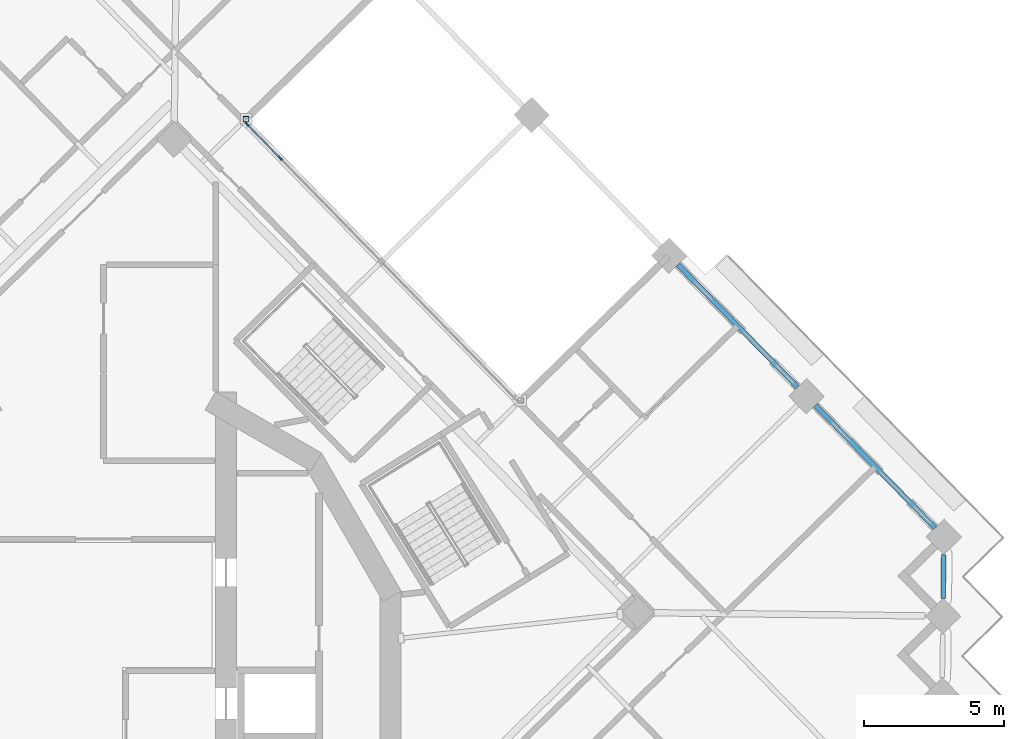
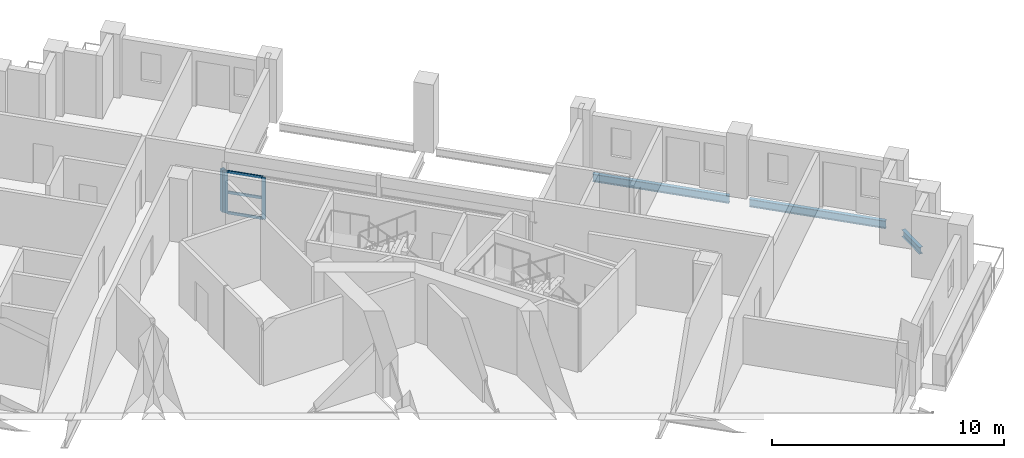
# One storey, part 4 of 20: 6 members, 3 beams, 1 element without a shape of its own.
"""IFC4 building model written with IfcOpenShell, lengths in metres."""

from ifc_helpers import new_model, si_unit, direction, frame, origin, origin_2d, place, context, subcontext, project, spatial, rectangle, hollow_rectangle, i_section, extrude, material, material_profile, profile_set, type_object, element, aggregate, save


model = new_model("IFC4")

# Units and contexts
model_context = context("Model", 3, precision=1e-05, world=origin(), true_north=direction((0.0, 1.0)))
body_context = subcontext(model_context, "Body", "Model", "MODEL_VIEW")
ifc_project = project(units=[si_unit("LENGTHUNIT", "METRE"), si_unit("AREAUNIT", "SQUARE_METRE"), si_unit("VOLUMEUNIT", "CUBIC_METRE"), si_unit("PLANEANGLEUNIT", "RADIAN"), si_unit("MASSUNIT", "GRAM", prefix="KILO")], contexts=[model_context])

# Site, building, storey
site_placement = place(None, origin())
site = spatial("IfcSite", under=ifc_project, at=site_placement, CompositionType="ELEMENT")
building_placement = place(site_placement, origin())
building = spatial("IfcBuilding", under=site, at=building_placement, Name="Cantera Rosa Tower", CompositionType="ELEMENT")
storey_placement = place(building_placement, frame((0.0, 0.0, 209.0)))
storey = spatial("IfcBuildingStorey", under=building, at=storey_placement, Name="L44", CompositionType="ELEMENT", Elevation=209.0)

# Curtain wall, members
ifc_material_1 = material(Name="Aluminium frame with clear glass", Category="aluminium")
curtain_wall_type = type_object("IfcCurtainWallType", Name="CW1 TERRACE POCKET GLAZING", PredefinedType="NOTDEFINED", material=ifc_material_1)
curtain_wall_placement = place(storey_placement, origin())
curtain_wall = element("IfcCurtainWall", 1, at=curtain_wall_placement, inside=storey, type_object=curtain_wall_type, Name="CW1 CW1", PredefinedType="NOTDEFINED")
ifc_material_2 = material(Name="Anodised bronze aluminium", Category="aluminium")
ifc_material_profile_1 = material_profile(ifc_material_2, rectangle(XDim=0.06005859375, YDim=0.179931640625, at=origin_2d()), Name="CW-MULLION 60x180 POCKET")
ifc_profile_set_1 = profile_set([ifc_material_profile_1], Name="Anodised bronze aluminium")
member_type_1 = type_object("IfcMemberType", Name="CW-MULLION 60x180 POCKET", PredefinedType="MULLION", material=ifc_profile_set_1)
member_1_placement = place(storey_placement, frame((6.3076171875, 18.29931640625, 0.0), z_axis=(0.0, 0.0, 1.0), x_axis=(-0.715286291058, -0.698831540376, 0.0)))
member_1 = element("IfcMember", 2, at=member_1_placement, type_object=member_type_1, Name="CW1 mullion 8", PredefinedType="MULLION", context=body_context, shape_type="SweptSolid", body=[
    extrude(rectangle(XDim=0.06005859375, YDim=0.179931640625, at=origin_2d()), origin(), (0.0, 0.0, 1.0), 2.2119140625),
])
member_2_placement = place(storey_placement, frame((5.1240234375, 19.510986328125, 0.0), z_axis=(0.0, 0.0, 1.0), x_axis=(-0.715286291058, -0.698831540376, 0.0)))
member_2 = element("IfcMember", 3, at=member_2_placement, type_object=member_type_1, Name="CW1 mullion 9", PredefinedType="MULLION", context=body_context, shape_type="SweptSolid", body=[
    extrude(rectangle(XDim=0.06005859375, YDim=0.179931640625, at=origin_2d()), origin(), (0.0, 0.0, 1.0), 2.2119140625),
])
ifc_material_3 = material(Name="Anodised bronze aluminium", Category="aluminium")
ifc_material_profile_2 = material_profile(ifc_material_3, rectangle(XDim=0.06005859375, YDim=0.139892578125, at=origin_2d()), Name="CW-TRANSOM 60x140 POCKET")
ifc_profile_set_2 = profile_set([ifc_material_profile_2], Name="Anodised bronze aluminium")
member_type_2 = type_object("IfcMemberType", Name="CW-TRANSOM 60x140 POCKET", PredefinedType="USERDEFINED", material=ifc_profile_set_2)
member_3_placement = place(storey_placement, frame((6.286865234375, 18.32080078125, 0.030029296875), z_axis=(-0.698840881454, 0.715277164747, 0.0), x_axis=(-0.715277164747, -0.698840881454, 0.0)))
member_3 = element("IfcMember", 4, at=member_3_placement, type_object=member_type_2, Name="CW1 transom 8.1", ObjectType="TRANSOM", PredefinedType="USERDEFINED", context=body_context, shape_type="SweptSolid", body=[
    extrude(rectangle(XDim=0.06005859375, YDim=0.139892578125, at=origin_2d()), origin(), (0.0, 0.0, 1.0), 1.634033203125),
])
member_4_placement = place(storey_placement, frame((6.286865234375, 18.32080078125, 1.10595703125), z_axis=(-0.698840881454, 0.715277164747, 0.0), x_axis=(-0.715277164747, -0.698840881454, 0.0)))
member_4 = element("IfcMember", 5, at=member_4_placement, type_object=member_type_2, Name="CW1 transom 8.2", ObjectType="TRANSOM", PredefinedType="USERDEFINED", context=body_context, shape_type="SweptSolid", body=[
    extrude(rectangle(XDim=0.06005859375, YDim=0.139892578125, at=origin_2d()), origin(), (0.0, 0.0, 1.0), 1.634033203125),
])
member_5_placement = place(storey_placement, frame((6.286865234375, 18.32080078125, 2.181884765625), z_axis=(-0.698840881454, 0.715277164747, 0.0), x_axis=(-0.715277164747, -0.698840881454, 0.0)))
member_5 = element("IfcMember", 6, at=member_5_placement, type_object=member_type_2, Name="CW1 transom 8.3", ObjectType="TRANSOM", PredefinedType="USERDEFINED", context=body_context, shape_type="SweptSolid", body=[
    extrude(rectangle(XDim=0.06005859375, YDim=0.139892578125, at=origin_2d()), origin(), (0.0, 0.0, 1.0), 1.634033203125),
])
aggregate(curtain_wall, [member_1, member_2, member_3, member_4, member_5])

# Member
ifc_material_4 = material(Name="Steel ASTM A992 (Fy 345 MPa)", Category="steel")
ifc_material_profile_3 = material_profile(ifc_material_4, hollow_rectangle(XDim=0.199951171875, YDim=0.199951171875, WallThickness=0.010009765625, at=origin_2d()), Name="LINTEL POST RHS 200x200x10")
ifc_profile_set_3 = profile_set([ifc_material_profile_3], Name="Steel ASTM A992 (Fy 345 MPa)")
member_type_3 = type_object("IfcMemberType", Name="LINTEL POST RHS 200x200x10", PredefinedType="USERDEFINED", material=ifc_profile_set_3)
member_6_placement = place(storey_placement, frame((5.08740234375, 19.691650390625, 0.0), z_axis=(0.0, 0.0, 1.0), x_axis=(1.0, 0.0, 0.0)))
element("IfcMember", 7, at=member_6_placement, inside=storey, type_object=member_type_3, Name="LINTEL POST L44-2", ObjectType="LINTEL POST", PredefinedType="USERDEFINED", context=body_context, shape_type="SweptSolid", body=[
    extrude(hollow_rectangle(XDim=0.199951171875, YDim=0.199951171875, WallThickness=0.010009765625, at=origin_2d()), origin(), (0.0, 0.0, 1.0), 2.214111328125),
])

# Beams
ifc_material_5 = material(Name="Steel ASTM A992 (Fy 345 MPa)", Category="steel")
ifc_material_profile_4 = material_profile(ifc_material_5, i_section(OverallWidth=0.1708984375, OverallDepth=0.35595703125, WebThickness=0.00732421875, FlangeThickness=0.01171875, FilletRadius=0.010009765625, at=origin_2d()), Name="W360X51")
ifc_profile_set_4 = profile_set([ifc_material_profile_4], Name="Steel ASTM A992 (Fy 345 MPa)")
beam_type_1 = type_object("IfcBeamType", Name="STEEL SPANDREL BEAM W360X51", PredefinedType="SPANDREL", material=ifc_profile_set_4)
beam_1_placement = place(storey_placement, frame((29.97802734375, 2.5859375, -0.427978515625), z_axis=(0.011614347636, 0.99993255119, 0.0), x_axis=(-0.99993255119, 0.011614347636, 0.0)))
element("IfcBeam", 8, at=beam_1_placement, inside=storey, type_object=beam_type_1, Name="EB-Z4-28 L44", PredefinedType="SPANDREL", context=body_context, shape_type="SweptSolid", body=[
    extrude(i_section(OverallWidth=0.1708984375, OverallDepth=0.35595703125, WebThickness=0.00732421875, FlangeThickness=0.01171875, FilletRadius=0.010009765625, at=origin_2d()), origin(), (0.0, 0.0, 1.0), 1.555419921875),
])
ifc_material_6 = material(Name="Steel ASTM A992 (Fy 345 MPa)", Category="steel")
ifc_material_profile_5 = material_profile(ifc_material_6, i_section(OverallWidth=0.177978515625, OverallDepth=0.406005859375, WebThickness=0.0078125, FlangeThickness=0.0126953125, FilletRadius=0.01025390625, at=origin_2d()), Name="W410X60")
ifc_profile_set_5 = profile_set([ifc_material_profile_5], Name="Steel ASTM A992 (Fy 345 MPa)")
beam_type_2 = type_object("IfcBeamType", Name="STEEL SPANDREL BEAM W410X60", PredefinedType="SPANDREL", material=ifc_profile_set_5)
beam_2_placement = place(storey_placement, frame((29.689208984375, 5.099609375, -0.452880859375), z_axis=(-0.69882117953, 0.715296413412, 0.0), x_axis=(-0.715296413412, -0.69882117953, 0.0)))
element("IfcBeam", 9, at=beam_2_placement, inside=storey, type_object=beam_type_2, Name="EB-Z4-01 L44", PredefinedType="SPANDREL", context=body_context, shape_type="SweptSolid", body=[
    extrude(i_section(OverallWidth=0.177978515625, OverallDepth=0.406005859375, WebThickness=0.0078125, FlangeThickness=0.0126953125, FilletRadius=0.01025390625, at=origin_2d()), origin(), (0.0, 0.0, 1.0), 6.1201171875),
])
beam_3_placement = place(storey_placement, frame((24.783203125, 10.120849609375, -0.452880859375), z_axis=(-0.698800768177, 0.715316354067, 0.0), x_axis=(-0.715316354067, -0.698800768177, 0.0)))
element("IfcBeam", 10, at=beam_3_placement, inside=storey, type_object=beam_type_2, Name="EB-Z4-02 L44", PredefinedType="SPANDREL", context=body_context, shape_type="SweptSolid", body=[
    extrude(i_section(OverallWidth=0.177978515625, OverallDepth=0.406005859375, WebThickness=0.0078125, FlangeThickness=0.0126953125, FilletRadius=0.01025390625, at=origin_2d()), origin(), (0.0, 0.0, 1.0), 6.119873046875),
])

save(model, "model.ifc")
